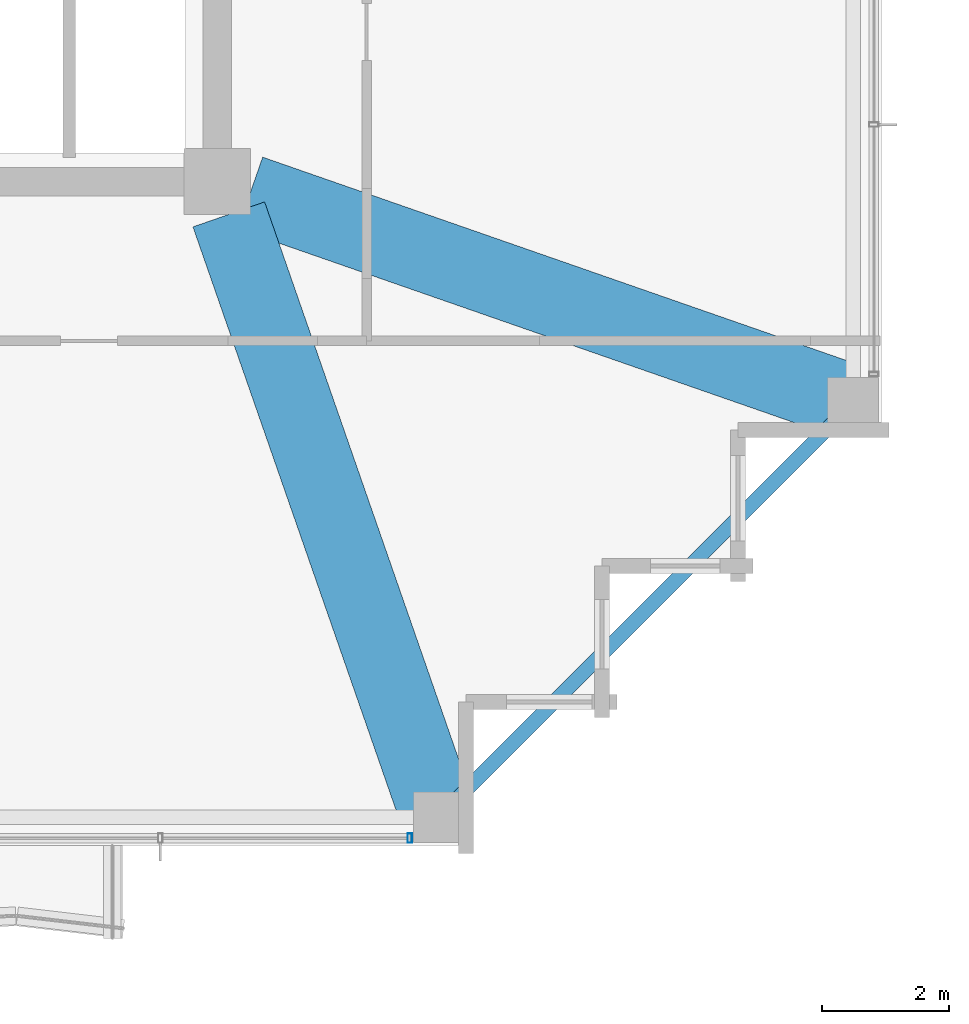
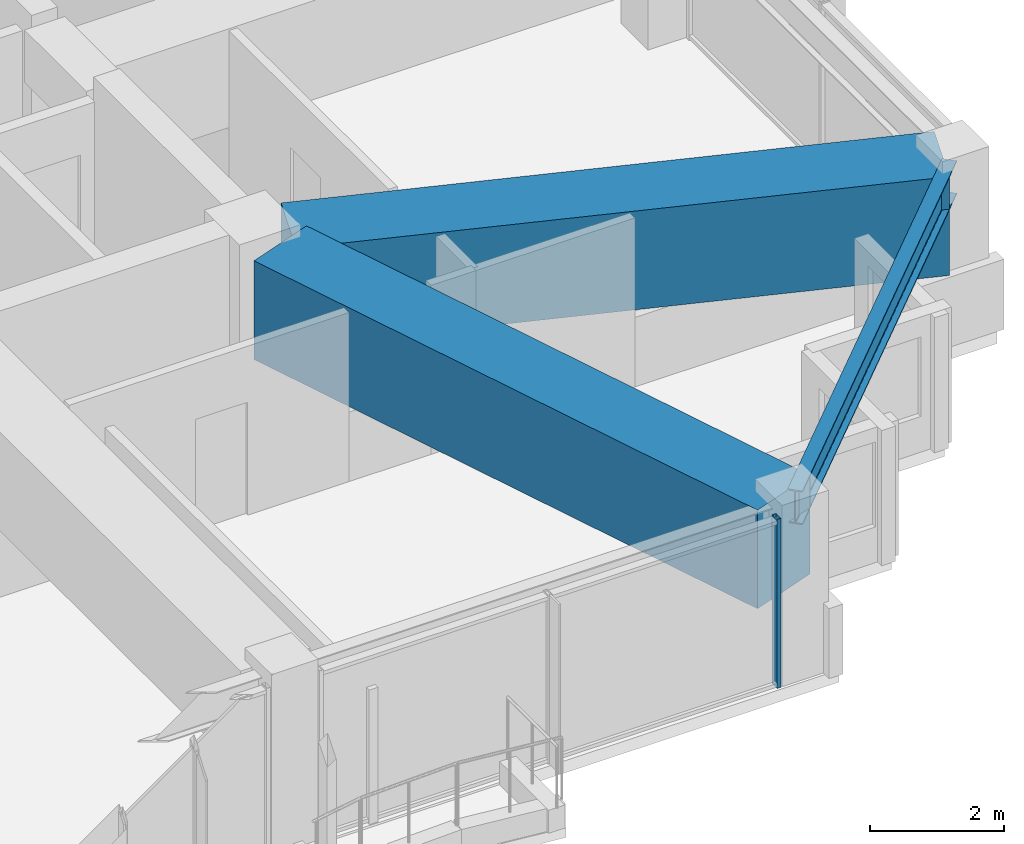
# One storey, part 12 of 37: 3 beams, 1 member, 1 element without a shape of its own.
"""IFC4 building model written with IfcOpenShell, lengths in metres."""

from ifc_helpers import new_model, si_unit, direction, frame, origin, origin_2d, place, context, subcontext, project, spatial, rectangle, hollow_rectangle, i_section, extrude, material, material_profile, profile_set, type_object, element, aggregate, save


model = new_model("IFC4")

# Units and contexts
model_context = context("Model", 3, precision=1e-05, world=origin(), true_north=direction((0.0, 1.0)))
body_context = subcontext(model_context, "Body", "Model", "MODEL_VIEW")
ifc_project = project(units=[si_unit("LENGTHUNIT", "METRE"), si_unit("AREAUNIT", "SQUARE_METRE"), si_unit("VOLUMEUNIT", "CUBIC_METRE"), si_unit("PLANEANGLEUNIT", "RADIAN"), si_unit("MASSUNIT", "GRAM", prefix="KILO")], contexts=[model_context])

# Site, building, storey
site_placement = place(None, origin())
site = spatial("IfcSite", under=ifc_project, at=site_placement, CompositionType="ELEMENT")
building_placement = place(site_placement, origin())
building = spatial("IfcBuilding", under=site, at=building_placement, Name="Kolvaren Belvedere", CompositionType="ELEMENT")
storey_placement = place(building_placement, frame((0.0, 0.0, 219.60009765625)))
storey = spatial("IfcBuildingStorey", under=building, at=storey_placement, Name="L64", CompositionType="ELEMENT", Elevation=219.60009765625)

# Beams
ifc_material_1 = material(Name="Structural steel ASTM A992 Grade 50", Category="steel")
ifc_material_profile_1 = material_profile(ifc_material_1, i_section(OverallWidth=0.22900390625, OverallDepth=0.612060546875, WebThickness=0.011962890625, FlangeThickness=0.01953125, FilletRadius=0.01806640625, at=origin_2d()), Name="W24X84")
ifc_profile_set_1 = profile_set([ifc_material_profile_1], Name="Structural steel ASTM A992 Grade 50")
beam_type_1 = type_object("IfcBeamType", Name="BM-SPAN-W24X84", PredefinedType="SPANDREL", material=ifc_profile_set_1)
beam_placement = place(storey_placement, frame((13.52734375, -19.82275390625, 2.77392578125), z_axis=(0.707106781187, 0.707106781187, 0.0), x_axis=(-0.707106781187, 0.707106781187, 0.0)))
element("IfcBeam", 1, at=beam_placement, inside=storey, type_object=beam_type_1, Name="L64 Perimeter Spandrel S4-E1", PredefinedType="SPANDREL", context=body_context, shape_type="SweptSolid", body=[
    extrude(i_section(OverallWidth=0.22900390625, OverallDepth=0.612060546875, WebThickness=0.011962890625, FlangeThickness=0.01953125, FilletRadius=0.01806640625, at=origin_2d()), origin(), (0.0, 0.0, 1.0), 8.903076171875),
])
ifc_material_2 = material(Name="Concrete C50/60", Category="concrete")
ifc_material_profile_2 = material_profile(ifc_material_2, rectangle(XDim=1.199951171875, YDim=1.800048828125, at=origin_2d()), Name="RC 1200X1800")
ifc_profile_set_2 = profile_set([ifc_material_profile_2], Name="Concrete C50/60")
beam_type_2 = type_object("IfcBeamType", Name="BM-TG-1800", PredefinedType="BEAM", material=ifc_profile_set_2)
for number, where, z_axis, x_axis, name in (
    (2, (10.080810546875, -10.41943359375, 2.179931640625), (0.328898147971, -0.944365399758, 0.0), (0.944365399758, 0.328898147971, 0.0), "L64 Corner Core-to-Perimeter Girder CC2-S4"),
    (3, (10.41943359375, -10.080810546875, 2.179931640625), (0.944365399758, -0.328898147971, 0.0), (0.328898147971, 0.944365399758, 0.0), "L64 Corner Core-to-Perimeter Girder CC2-E1"),
):
    element("IfcBeam", number, at=place(storey_placement, frame(where, z_axis=z_axis, x_axis=x_axis)), inside=storey, type_object=beam_type_2, Name=name, PredefinedType="BEAM", context=body_context, shape_type="SweptSolid", body=[
        extrude(rectangle(XDim=1.199951171875, YDim=1.800048828125, at=origin_2d()), origin(), (0.0, 0.0, 1.0), 9.931884765625),
    ])

# Curtain wall, member
ifc_material_3 = material(Name="Anodised pale-metal aluminium AA 6063-T6", Category="aluminium")
curtain_wall_type = type_object("IfcCurtainWallType", Name="CW-Z5-HIGH", PredefinedType="NOTDEFINED", material=ifc_material_3)
curtain_wall_placement = place(storey_placement, origin())
curtain_wall = element("IfcCurtainWall", 4, at=curtain_wall_placement, inside=storey, type_object=curtain_wall_type, Name="L64 Unitised Curtain Wall FCW-L64-S1-B1", PredefinedType="NOTDEFINED")
ifc_material_4 = material(Name="Anodised pale-metal aluminium AA 6063-T6", Category="aluminium")
ifc_material_profile_3 = material_profile(ifc_material_4, hollow_rectangle(XDim=0.070068359375, YDim=0.14990234375, WallThickness=0.004150390625, at=origin_2d()), Name="ALU-MUL-150X70")
ifc_profile_set_3 = profile_set([ifc_material_profile_3], Name="Anodised pale-metal aluminium AA 6063-T6")
member_type = type_object("IfcMemberType", Name="CW-MUL-150", PredefinedType="MULLION", material=ifc_profile_set_3)
member_placement = place(storey_placement, frame((12.945068359375, -20.280029296875, 0.0), z_axis=(0.0, 0.0, 1.0), x_axis=(1.0, 0.0, 0.0)))
member = element("IfcMember", 5, at=member_placement, type_object=member_type, Name="FCW-L64-S1-B1 Unitised Mullion 1", PredefinedType="MULLION", context=body_context, shape_type="SweptSolid", body=[
    extrude(hollow_rectangle(XDim=0.070068359375, YDim=0.14990234375, WallThickness=0.004150390625, at=origin_2d()), origin(), (0.0, 0.0, 1.0), 3.079833984375),
])
aggregate(curtain_wall, [member])

save(model, "model.ifc")
